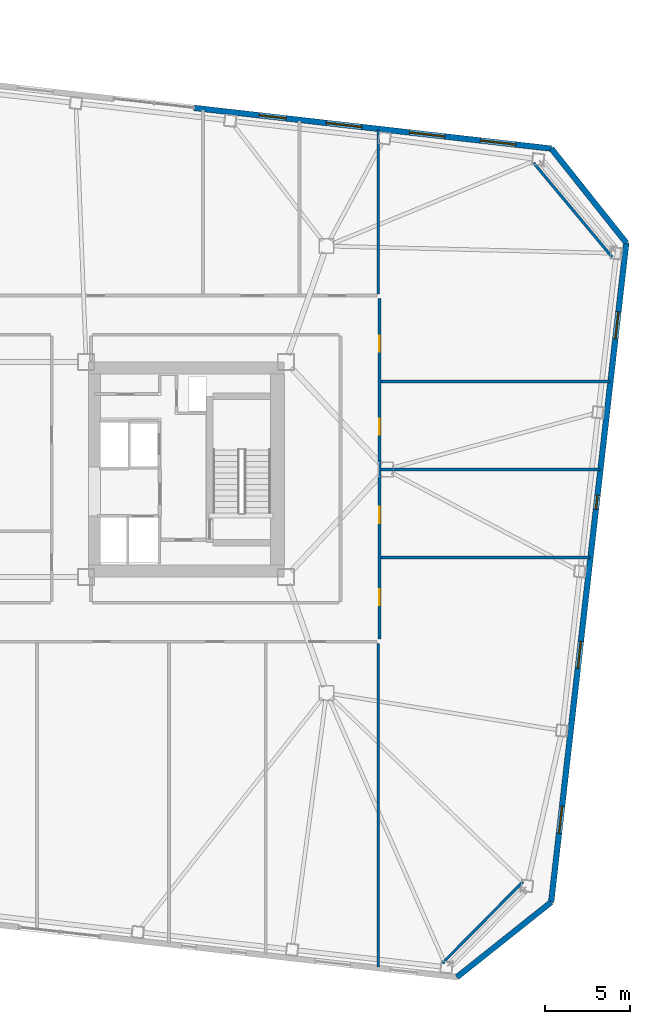
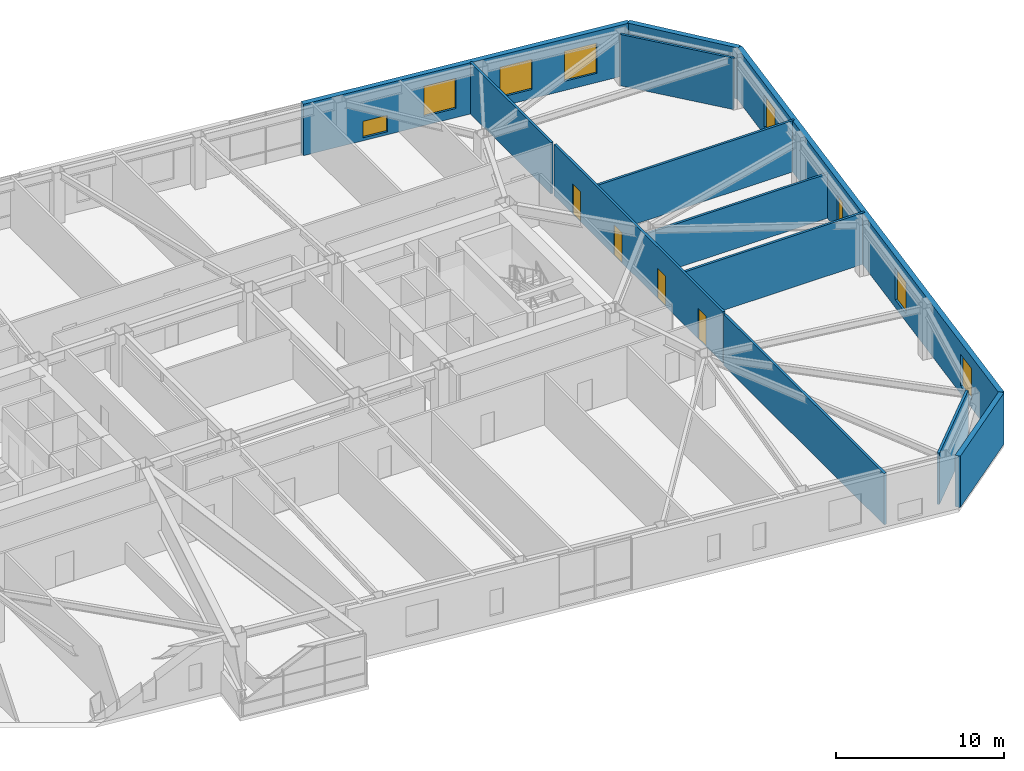
# One storey, part 16 of 22: 12 walls, 8 windows, 4 doors, 12 openings.
"""IFC4 building model written with IfcOpenShell, lengths in metres."""

import ifcopenshell
import ifcopenshell.guid

model = None  # the IFC model being written
_history = None  # IfcOwnerHistory: only IFC2X3 demands one
_inside = {}  # id of a spatial element -> (the spatial element, [elements in it])
_under = {}  # id of a project, library or spatial element -> (it, [spatial elements below it])
_declared = {}  # id of a project -> (the project, [libraries it declares])
_typed = {}  # id of a type object -> (the type object, [elements of that type])
_made_of = {}  # id of a material, layer set ... -> (it, [elements and type objects made of it])


def new_model(schema):
    """Start an empty IFC model of exactly this schema.

    Asked for "IFC4X3", IfcOpenShell would pick the latest addendum, in which some entities
    have other attributes; the version numbers below select the first issue.
    IFC2X3 requires an IfcOwnerHistory on every rooted entity: one is made here for all.
    """
    global model, _history
    if schema == "IFC4X3":
        model = ifcopenshell.file(schema_version=(4, 3, 0, 0))
    else:
        model = ifcopenshell.file(schema=schema)
    _inside.clear()
    _under.clear()
    _declared.clear()
    _typed.clear()
    _made_of.clear()
    _history = None
    if model.schema == "IFC2X3":
        org = make("IfcOrganization", Name="unknown")
        user = make(
            "IfcPersonAndOrganization",
            ThePerson=make("IfcPerson", FamilyName="unknown"),
            TheOrganization=org,
        )
        app = make(
            "IfcApplication",
            ApplicationDeveloper=org,
            Version="unknown",
            ApplicationFullName="unknown",
            ApplicationIdentifier="unknown",
        )
        _history = make(
            "IfcOwnerHistory",
            OwningUser=user,
            OwningApplication=app,
            ChangeAction="ADDED",
            CreationDate=0,
        )
    return model


def make(cls, **values):
    """One entity of the class cls with the attributes given. An attribute that is None is left unset."""
    return model.create_entity(
        cls, **{name: value for name, value in values.items() if value is not None}
    )


def rooted(cls, **values):
    """An entity with a GlobalId (a new one), such as an element, a storey or a relation."""
    return make(cls, GlobalId=ifcopenshell.guid.new(), OwnerHistory=_history, **values)


def si_unit(unit_type, name, prefix=None):
    """IfcSIUnit, for example si_unit("LENGTHUNIT", "METRE", prefix="MILLI")."""
    return make("IfcSIUnit", UnitType=unit_type, Prefix=prefix, Name=name)


def assignment(units):
    """IfcUnitAssignment: the units of a project."""
    return None if units is None else make("IfcUnitAssignment", Units=units)


def point(xyz):
    """IfcCartesianPoint."""
    return None if xyz is None else make("IfcCartesianPoint", Coordinates=xyz)


def direction(xyz):
    """IfcDirection."""
    return None if xyz is None else make("IfcDirection", DirectionRatios=xyz)


def frame(location, z_axis=None, x_axis=None):
    """IfcAxis2Placement3D, a coordinate frame: its origin and axes. An axis left out is left unset."""
    return make(
        "IfcAxis2Placement3D",
        Location=point(location),
        Axis=direction(z_axis),
        RefDirection=direction(x_axis),
    )


def frame_2d(location, x_axis=None):
    """IfcAxis2Placement2D, a coordinate frame in the plane: its origin and x axis."""
    return make(
        "IfcAxis2Placement2D", Location=point(location), RefDirection=direction(x_axis)
    )


def origin():
    """The frame at (0, 0, 0) with its axes left unset."""
    return frame((0.0, 0.0, 0.0))


def place(relative_to, where):
    """IfcLocalPlacement: puts the frame where relative to a parent placement (None: the world)."""
    return make(
        "IfcLocalPlacement", PlacementRelTo=relative_to, RelativePlacement=where
    )


def context(
    kind, dimensions, precision=None, world=None, true_north=None, identifier=None
):
    """IfcGeometricRepresentationContext, for example the 3D "Model" context."""
    return make(
        "IfcGeometricRepresentationContext",
        ContextIdentifier=identifier,
        ContextType=kind,
        CoordinateSpaceDimension=dimensions,
        Precision=precision,
        WorldCoordinateSystem=world,
        TrueNorth=true_north,
    )


def subcontext(parent, identifier, kind, view, scale=None):
    """IfcGeometricRepresentationSubContext, for example "Body" below "Model"."""
    return make(
        "IfcGeometricRepresentationSubContext",
        ContextIdentifier=identifier,
        ContextType=kind,
        ParentContext=parent,
        TargetScale=scale,
        TargetView=view,
    )


def project(units=None, contexts=None):
    """IfcProject with its units and contexts."""
    return rooted(
        "IfcProject",
        Name="project",
        RepresentationContexts=contexts,
        UnitsInContext=assignment(units),
    )


def spatial(cls, under=None, at=None, **own):
    """A site, building, storey or space (cls), placed at a placement, below another one or the project."""
    s = rooted(cls, ObjectPlacement=at, **own)
    if under is not None:
        _under.setdefault(under.id(), (under, []))[1].append(s)
    return s


def profile(cls, at=None, kind="AREA", **sizes):
    """A parametric profile (cls). Its sizes go by their IFC names, for example OverallWidth=200.0."""
    return make(cls, ProfileType=kind, Position=at, **sizes)


def rectangle(**sizes):
    """IfcRectangleProfileDef."""
    return profile("IfcRectangleProfileDef", **sizes)


def extrude(swept, where, along, depth):
    """IfcExtrudedAreaSolid: the profile swept, set in the frame where, extruded along a direction by depth."""
    return make(
        "IfcExtrudedAreaSolid",
        SweptArea=swept,
        Position=where,
        ExtrudedDirection=direction(along),
        Depth=depth,
    )


def shape(context_of_items, identifier, shape_type, items):
    """IfcShapeRepresentation: the items that make up one representation, for example the "Body"."""
    return make(
        "IfcShapeRepresentation",
        ContextOfItems=context_of_items,
        RepresentationIdentifier=identifier,
        RepresentationType=shape_type,
        Items=items,
    )


def material(Name=None, Category=None):
    """IfcMaterial."""
    return make("IfcMaterial", Name=Name, Category=Category)


def layer(
    of_material, thickness, ventilated=None, Name=None, Category=None, Priority=None
):
    """IfcMaterialLayer: one layer of a wall or slab, of a material (None: an air gap)."""
    return make(
        "IfcMaterialLayer",
        Material=of_material,
        LayerThickness=thickness,
        IsVentilated=ventilated,
        Name=Name,
        Category=Category,
        Priority=Priority,
    )


def layer_set(layers, Name=None):
    """IfcMaterialLayerSet."""
    return make("IfcMaterialLayerSet", MaterialLayers=layers, LayerSetName=Name)


def made_of(thing, what):
    """Note that an element or type object is made of a material, layer set ...; save() writes the relation."""
    if what is not None:
        _made_of.setdefault(what.id(), (what, []))[1].append(thing)
    return thing


def type_object(cls, material=None, **own):
    """A type object (cls), such as IfcWallType, which elements share."""
    return made_of(rooted(cls, **own), material)


def element(
    cls,
    number,
    at=None,
    inside=None,
    cuts=None,
    type_object=None,
    material=None,
    context=None,
    identifier="Body",
    shape_type=None,
    held_by="IfcProductDefinitionShape",
    body=None,
    shapes=None,
    **own,
):
    """One element of the class cls, such as IfcWall. Its Tag is "e" and its number.

    at: its placement. inside: the storey or other place that contains it. cuts: it is an
    opening in that element (IfcRelVoidsElement). A single representation is given by context,
    identifier, shape_type and body (its items); several are given by shapes. held_by: the class
    of the entity that holds the representations. save() writes the other relations.
    """
    e = rooted(cls, Tag="e%d" % number, ObjectPlacement=at, **own)
    if body is not None:
        shapes = [shape(context, identifier, shape_type, body)]
    if shapes is not None:
        e.Representation = make(held_by, Representations=shapes)
    if inside is not None:
        _inside.setdefault(inside.id(), (inside, []))[1].append(e)
    if cuts is not None:
        rooted(
            "IfcRelVoidsElement", RelatingBuildingElement=cuts, RelatedOpeningElement=e
        )
    if type_object is not None:
        _typed.setdefault(type_object.id(), (type_object, []))[1].append(e)
    return made_of(e, material)


def fill(opening, filler):
    """IfcRelFillsElement: the door or window that sits in an opening."""
    return rooted(
        "IfcRelFillsElement",
        RelatingOpeningElement=opening,
        RelatedBuildingElement=filler,
    )


def aggregate(whole, parts):
    """IfcRelAggregates: a whole, such as a stair, and the parts it consists of."""
    return rooted("IfcRelAggregates", RelatingObject=whole, RelatedObjects=parts)


def save(model, path):
    """Write the relations noted so far, then the file.

    IfcRelAggregates (storeys below a building ...), IfcRelContainedInSpatialStructure (elements
    in a storey), IfcRelDefinesByType, IfcRelAssociatesMaterial and IfcRelDeclares: one each for
    every whole, place, type object, material and project.
    """
    for whole, parts in _under.values():
        aggregate(whole, parts)
    for where, things in _inside.values():
        rooted(
            "IfcRelContainedInSpatialStructure",
            RelatedElements=things,
            RelatingStructure=where,
        )
    for kind, things in _typed.values():
        rooted("IfcRelDefinesByType", RelatedObjects=things, RelatingType=kind)
    for what, things in _made_of.values():
        rooted("IfcRelAssociatesMaterial", RelatedObjects=things, RelatingMaterial=what)
    for by, libraries in _declared.values():
        rooted("IfcRelDeclares", RelatingContext=by, RelatedDefinitions=libraries)
    model.write(path)


model = new_model("IFC4")

# Units and contexts
model_context = context("Model", 3, precision=1e-05, world=origin(), true_north=direction((0.0, 1.0)))
body_context = subcontext(model_context, "Body", "Model", "MODEL_VIEW")
ifc_project = project(units=[si_unit("LENGTHUNIT", "METRE"), si_unit("AREAUNIT", "SQUARE_METRE"), si_unit("VOLUMEUNIT", "CUBIC_METRE"), si_unit("PLANEANGLEUNIT", "RADIAN"), si_unit("MASSUNIT", "GRAM", prefix="KILO")], contexts=[model_context])

# Site, building, storey
site_placement = place(None, origin())
site = spatial("IfcSite", under=ifc_project, at=site_placement, CompositionType="ELEMENT")
building_placement = place(site_placement, origin())
building = spatial("IfcBuilding", under=site, at=building_placement, Name="Tavrogorsk Clinical Tower", CompositionType="ELEMENT")
storey_placement = place(building_placement, frame((0.0, 0.0, 93.39990234375)))
storey = spatial("IfcBuildingStorey", under=building, at=storey_placement, Name="L20", CompositionType="ELEMENT", Elevation=93.39990234375)

# Walls
ifc_material_1 = material(Name="Lightweight concrete blockwork B15", Category="masonry")
ifc_layer_1 = layer(ifc_material_1, 0.159912109375)
ifc_layer_set_1 = layer_set([ifc_layer_1], Name="Lightweight concrete blockwork B15")
wall_type_1 = type_object("IfcWallType", Name="PartitionWall_160", PredefinedType="PARTITIONING", material=ifc_layer_set_1)
wall_1_placement = place(storey_placement, frame((31.34130859375, -29.162109375, 0.0), z_axis=(0.0, 0.0, 1.0), x_axis=(0.702905898933, 0.711282853192, 0.0)))
element("IfcWall", 1, at=wall_1_placement, inside=storey, type_object=wall_type_1, Name="L20 Corner Exoskeleton Brace Furring Wall 1", PredefinedType="PARTITIONING", context=body_context, shape_type="SweptSolid", body=[
    extrude(rectangle(XDim=6.761474609375, YDim=0.159912109375, at=frame_2d((3.380859375, 0.0))), origin(), (0.0, 0.0, 1.0), 3.739990234375),
])
wall_2_placement = place(storey_placement, frame((41.36083984375, 12.555908203125, 0.0), z_axis=(0.0, 0.0, 1.0), x_axis=(-0.640217638562, 0.768193579298, 0.0)))
element("IfcWall", 2, at=wall_2_placement, inside=storey, type_object=wall_type_1, Name="L20 Corner Exoskeleton Brace Furring Wall 2", PredefinedType="PARTITIONING", context=body_context, shape_type="SweptSolid", body=[
    extrude(rectangle(XDim=7.224365234375, YDim=0.159912109375, at=frame_2d((3.6123046875, 0.0))), origin(), (0.0, 0.0, 1.0), 3.739990234375),
])

# Wall, openings, doors
wall_3_placement = place(storey_placement, frame((27.6298828125, 10.114990234375, 0.0), z_axis=(0.0, 0.0, 1.0), x_axis=(0.0, -1.0, 0.0)))
wall_3 = element("IfcWall", 3, at=wall_3_placement, inside=storey, type_object=wall_type_1, Name="L20 Corridor Partition 03", PredefinedType="PARTITIONING", context=body_context, shape_type="SweptSolid", body=[
    extrude(rectangle(XDim=20.1298828125, YDim=0.159912109375, at=frame_2d((10.06494140625, 0.0))), origin(), (0.0, 0.0, 1.0), 3.739990234375),
])
opening_1_placement = place(wall_3_placement, frame((17.180908203125, 0.0, 0.0)))
opening_1 = element("IfcOpeningElement", 4, at=opening_1_placement, cuts=wall_3, Name="Opening ID-02", PredefinedType="OPENING", context=body_context, shape_type="SweptSolid", body=[
    extrude(rectangle(XDim=0.949951171875, YDim=2.199951171875, at=frame_2d((0.47509765625, 1.10009765625))), frame((0.0, 0.08984375, 0.0), z_axis=(0.0, -1.0, 0.0), x_axis=(1.0, 0.0, 0.0)), (0.0, 0.0, 1.0), 0.179931640625),
])
opening_2_placement = place(wall_3_placement, frame((12.324951171875, 0.0, 0.0)))
opening_2 = element("IfcOpeningElement", 5, at=opening_2_placement, cuts=wall_3, Name="Opening ID-02", PredefinedType="OPENING", context=body_context, shape_type="SweptSolid", body=[
    extrude(rectangle(XDim=0.949951171875, YDim=2.199951171875, at=frame_2d((0.47509765625, 1.10009765625))), frame((0.0, 0.08984375, 0.0), z_axis=(0.0, -1.0, 0.0), x_axis=(1.0, 0.0, 0.0)), (0.0, 0.0, 1.0), 0.179931640625),
])
opening_3_placement = place(wall_3_placement, frame((7.125, 0.0, 0.0)))
opening_3 = element("IfcOpeningElement", 6, at=opening_3_placement, cuts=wall_3, Name="Opening ID-02", PredefinedType="OPENING", context=body_context, shape_type="SweptSolid", body=[
    extrude(rectangle(XDim=0.949951171875, YDim=2.199951171875, at=frame_2d((0.47509765625, 1.10009765625))), frame((0.0, 0.08984375, 0.0), z_axis=(0.0, -1.0, 0.0), x_axis=(1.0, 0.0, 0.0)), (0.0, 0.0, 1.0), 0.179931640625),
])
opening_4_placement = place(wall_3_placement, frame((2.218994140625, 0.0, 0.0)))
opening_4 = element("IfcOpeningElement", 7, at=opening_4_placement, cuts=wall_3, Name="Opening ID-02", PredefinedType="OPENING", context=body_context, shape_type="SweptSolid", body=[
    extrude(rectangle(XDim=0.949951171875, YDim=2.199951171875, at=frame_2d((0.47509765625, 1.10009765625))), frame((0.0, 0.08984375, 0.0), z_axis=(0.0, -1.0, 0.0), x_axis=(1.0, 0.0, 0.0)), (0.0, 0.0, 1.0), 0.179931640625),
])
ifc_material_2 = material(Name="Laminated timber leaf on aluminium frame", Category="wood")
door_type = type_object("IfcDoorType", Name="InteriorDoor_ID02_950", OperationType="NOTDEFINED", PredefinedType="DOOR", material=ifc_material_2)
door_1_placement = place(opening_1_placement, origin())
door_1 = element("IfcDoor", 8, at=door_1_placement, inside=storey, type_object=door_type, Name="L20 E Senior Clinician Suite 1 Door", OperationType="SINGLE_SWING_LEFT", OverallHeight=2.199951171875, OverallWidth=0.949951171875, PredefinedType="DOOR", context=body_context, shape_type="SweptSolid", body=[
    extrude(rectangle(XDim=0.949951171875, YDim=2.199951171875, at=frame_2d((0.47509765625, 1.10009765625))), frame((0.0, 0.02490234375, 0.0), z_axis=(0.0, -1.0, 0.0), x_axis=(1.0, 0.0, 0.0)), (0.0, 0.0, 1.0), 0.050048828125),
])
fill(opening_1, door_1)
door_2_placement = place(opening_2_placement, origin())
door_2 = element("IfcDoor", 9, at=door_2_placement, inside=storey, type_object=door_type, Name="L20 E Multidisciplinary Seminar Suite 2 Door", OperationType="SINGLE_SWING_RIGHT", OverallHeight=2.199951171875, OverallWidth=0.949951171875, PredefinedType="DOOR", context=body_context, shape_type="SweptSolid", body=[
    extrude(rectangle(XDim=0.949951171875, YDim=2.199951171875, at=frame_2d((0.47509765625, 1.10009765625))), frame((0.0, 0.02490234375, 0.0), z_axis=(0.0, -1.0, 0.0), x_axis=(1.0, 0.0, 0.0)), (0.0, 0.0, 1.0), 0.050048828125),
])
fill(opening_2, door_2)
door_3_placement = place(opening_3_placement, origin())
door_3 = element("IfcDoor", 10, at=door_3_placement, inside=storey, type_object=door_type, Name="L20 E Specialist Consultation Room 3 Door", OperationType="SINGLE_SWING_LEFT", OverallHeight=2.199951171875, OverallWidth=0.949951171875, PredefinedType="DOOR", context=body_context, shape_type="SweptSolid", body=[
    extrude(rectangle(XDim=0.949951171875, YDim=2.199951171875, at=frame_2d((0.47509765625, 1.10009765625))), frame((0.0, 0.02490234375, 0.0), z_axis=(0.0, -1.0, 0.0), x_axis=(1.0, 0.0, 0.0)), (0.0, 0.0, 1.0), 0.050048828125),
])
fill(opening_3, door_3)
door_4_placement = place(opening_4_placement, origin())
door_4 = element("IfcDoor", 11, at=door_4_placement, inside=storey, type_object=door_type, Name="L20 E Clinical Fellows' Study 4 Door", OperationType="SINGLE_SWING_RIGHT", OverallHeight=2.199951171875, OverallWidth=0.949951171875, PredefinedType="DOOR", context=body_context, shape_type="SweptSolid", body=[
    extrude(rectangle(XDim=0.949951171875, YDim=2.199951171875, at=frame_2d((0.47509765625, 1.10009765625))), frame((0.0, 0.02490234375, 0.0), z_axis=(0.0, -1.0, 0.0), x_axis=(1.0, 0.0, 0.0)), (0.0, 0.0, 1.0), 0.050048828125),
])
fill(opening_4, door_4)

# Walls
wall_4_placement = place(storey_placement, frame((27.550048828125, 10.364990234375, 0.0), z_axis=(0.0, 0.0, 1.0), x_axis=(0.0, 1.0, 0.0)))
element("IfcWall", 12, at=wall_4_placement, inside=storey, type_object=wall_type_1, Name="L20 NE Wing Closure Partition", PredefinedType="PARTITIONING", context=body_context, shape_type="SweptSolid", body=[
    extrude(rectangle(XDim=9.6884765625, YDim=0.159912109375, at=frame_2d((4.84423828125, 0.0))), origin(), (0.0, 0.0, 1.0), 3.739990234375),
])
wall_5_placement = place(storey_placement, frame((27.550048828125, -29.384521484375, 0.0), z_axis=(0.0, 0.0, 1.0), x_axis=(0.0, 1.0, 0.0)))
element("IfcWall", 13, at=wall_5_placement, inside=storey, type_object=wall_type_1, Name="L20 SE Wing Closure Partition", PredefinedType="PARTITIONING", context=body_context, shape_type="SweptSolid", body=[
    extrude(rectangle(XDim=19.11962890625, YDim=0.159912109375, at=frame_2d((9.559814453125, 0.0))), origin(), (0.0, 0.0, 1.0), 3.739990234375),
])
wall_6_placement = place(storey_placement, frame((27.715087890625, -5.199951171875, 0.0), z_axis=(0.0, 0.0, 1.0), x_axis=(1.0, 0.0, 0.0)))
element("IfcWall", 14, at=wall_6_placement, inside=storey, type_object=wall_type_1, Name="L20 E Wing Divider 1", PredefinedType="PARTITIONING", context=body_context, shape_type="SweptSolid", body=[
    extrude(rectangle(XDim=12.35205078125, YDim=0.159912109375, at=frame_2d((6.176025390625, 0.0))), origin(), (0.0, 0.0, 1.0), 3.739990234375),
])
wall_7_placement = place(storey_placement, frame((27.715087890625, 0.0, 0.0), z_axis=(0.0, 0.0, 1.0), x_axis=(1.0, 0.0, 0.0)))
element("IfcWall", 15, at=wall_7_placement, inside=storey, type_object=wall_type_1, Name="L20 E Wing Divider 2", PredefinedType="PARTITIONING", context=body_context, shape_type="SweptSolid", body=[
    extrude(rectangle(XDim=12.944580078125, YDim=0.159912109375, at=frame_2d((6.47216796875, 0.0))), origin(), (0.0, 0.0, 1.0), 3.235107421875),
])
wall_8_placement = place(storey_placement, frame((27.715087890625, 5.199951171875, 0.0), z_axis=(0.0, 0.0, 1.0), x_axis=(1.0, 0.0, 0.0)))
element("IfcWall", 16, at=wall_8_placement, inside=storey, type_object=wall_type_1, Name="L20 E Wing Divider 3", PredefinedType="PARTITIONING", context=body_context, shape_type="SweptSolid", body=[
    extrude(rectangle(XDim=13.537109375, YDim=0.159912109375, at=frame_2d((6.7685546875, 0.0))), origin(), (0.0, 0.0, 1.0), 3.739990234375),
])

# Wall, openings, windows
ifc_material_3 = material(Name="Precast concrete B45 with limestone cladding", Category="masonry")
ifc_layer_2 = layer(ifc_material_3, 0.340087890625)
ifc_layer_set_2 = layer_set([ifc_layer_2], Name="Precast concrete B45 with limestone cladding")
wall_type_2 = type_object("IfcWallType", Name="PrecastLimestoneWall_340", PredefinedType="STANDARD", material=ifc_layer_set_2)
wall_9_placement = place(storey_placement, frame((37.77734375, 18.95849609375, 0.0), z_axis=(0.0, 0.0, 1.0), x_axis=(-0.993571362037, 0.113207546299, 0.0)))
wall_9 = element("IfcWall", 17, at=wall_9_placement, inside=storey, type_object=wall_type_2, Name="L20 N Limestone Facade Wall 1", PredefinedType="STANDARD", context=body_context, shape_type="SweptSolid", body=[
    extrude(rectangle(XDim=21.222900390625, YDim=0.340087890625, at=frame_2d((10.611328125, 0.0))), origin(), (0.0, 0.0, 1.0), 3.739990234375),
])
opening_5_placement = place(wall_9_placement, frame((15.75634765625, 0.0, 0.219970703125)))
opening_5 = element("IfcOpeningElement", 18, at=opening_5_placement, cuts=wall_9, Name="Opening WN-09", PredefinedType="OPENING", context=body_context, shape_type="SweptSolid", body=[
    extrude(rectangle(XDim=1.60009765625, YDim=1.199951171875, at=frame_2d((0.800048828125, 0.60009765625))), frame((0.0, 0.179931640625, 0.0), z_axis=(0.0, -1.0, 0.0), x_axis=(1.0, 0.0, 0.0)), (0.0, 0.0, 1.0), 0.360107421875),
])
opening_6_placement = place(wall_9_placement, frame((11.284912109375, 0.0, 0.669921875)))
opening_6 = element("IfcOpeningElement", 19, at=opening_6_placement, cuts=wall_9, Name="Opening WN-03", PredefinedType="OPENING", context=body_context, shape_type="SweptSolid", body=[
    extrude(rectangle(XDim=2.10009765625, YDim=2.199951171875, at=frame_2d((1.050048828125, 1.10009765625))), frame((0.0, 0.179931640625, 0.0), z_axis=(0.0, -1.0, 0.0), x_axis=(1.0, 0.0, 0.0)), (0.0, 0.0, 1.0), 0.360107421875),
])
opening_7_placement = place(wall_9_placement, frame((6.335693359375, 0.0, 0.669921875)))
opening_7 = element("IfcOpeningElement", 20, at=opening_7_placement, cuts=wall_9, Name="Opening WN-03", PredefinedType="OPENING", context=body_context, shape_type="SweptSolid", body=[
    extrude(rectangle(XDim=2.10009765625, YDim=2.199951171875, at=frame_2d((1.050048828125, 1.10009765625))), frame((0.0, 0.179931640625, 0.0), z_axis=(0.0, -1.0, 0.0), x_axis=(1.0, 0.0, 0.0)), (0.0, 0.0, 1.0), 0.360107421875),
])
opening_8_placement = place(wall_9_placement, frame((2.125244140625, 0.0, 0.669921875)))
opening_8 = element("IfcOpeningElement", 21, at=opening_8_placement, cuts=wall_9, Name="Opening WN-03", PredefinedType="OPENING", context=body_context, shape_type="SweptSolid", body=[
    extrude(rectangle(XDim=2.10009765625, YDim=2.199951171875, at=frame_2d((1.050048828125, 1.10009765625))), frame((0.0, 0.179931640625, 0.0), z_axis=(0.0, -1.0, 0.0), x_axis=(1.0, 0.0, 0.0)), (0.0, 0.0, 1.0), 0.360107421875),
])
ifc_material_4 = material(Name="Thermally broken aluminium frame and triple IGU", Category="aluminium")
window_type_1 = type_object("IfcWindowType", Name="LowHeadTransWin_1600x1200", PartitioningType="DOUBLE_PANEL_VERTICAL", PredefinedType="WINDOW", material=ifc_material_4)
window_1_placement = place(opening_5_placement, origin())
window_1 = element("IfcWindow", 22, at=window_1_placement, inside=storey, type_object=window_type_1, Name="L20 N Chicago Window 07", OverallHeight=1.199951171875, OverallWidth=1.60009765625, PartitioningType="SINGLE_PANEL", PredefinedType="WINDOW", context=body_context, shape_type="SweptSolid", body=[
    extrude(rectangle(XDim=1.60009765625, YDim=1.199951171875, at=frame_2d((0.800048828125, 0.60009765625))), frame((0.0, 0.030029296875, 0.0), z_axis=(0.0, -1.0, 0.0), x_axis=(1.0, 0.0, 0.0)), (0.0, 0.0, 1.0), 0.06005859375),
])
fill(opening_5, window_1)
ifc_material_5 = material(Name="Thermally broken aluminium frame and triple IGU", Category="aluminium")
window_type_2 = type_object("IfcWindowType", Name="PatientTwinWin_2100x2200", PartitioningType="DOUBLE_PANEL_VERTICAL", PredefinedType="WINDOW", material=ifc_material_5)
window_2_placement = place(opening_6_placement, origin())
window_2 = element("IfcWindow", 23, at=window_2_placement, inside=storey, type_object=window_type_2, Name="L20 N Chicago Window 08", OverallHeight=2.199951171875, OverallWidth=2.10009765625, PartitioningType="SINGLE_PANEL", PredefinedType="WINDOW", context=body_context, shape_type="SweptSolid", body=[
    extrude(rectangle(XDim=2.10009765625, YDim=2.199951171875, at=frame_2d((1.050048828125, 1.10009765625))), frame((0.0, 0.030029296875, 0.0), z_axis=(0.0, -1.0, 0.0), x_axis=(1.0, 0.0, 0.0)), (0.0, 0.0, 1.0), 0.06005859375),
])
fill(opening_6, window_2)
window_3_placement = place(opening_7_placement, origin())
window_3 = element("IfcWindow", 24, at=window_3_placement, inside=storey, type_object=window_type_2, Name="L20 N Chicago Window 09", OverallHeight=2.199951171875, OverallWidth=2.10009765625, PartitioningType="SINGLE_PANEL", PredefinedType="WINDOW", context=body_context, shape_type="SweptSolid", body=[
    extrude(rectangle(XDim=2.10009765625, YDim=2.199951171875, at=frame_2d((1.050048828125, 1.10009765625))), frame((0.0, 0.030029296875, 0.0), z_axis=(0.0, -1.0, 0.0), x_axis=(1.0, 0.0, 0.0)), (0.0, 0.0, 1.0), 0.06005859375),
])
fill(opening_7, window_3)
window_4_placement = place(opening_8_placement, origin())
window_4 = element("IfcWindow", 25, at=window_4_placement, inside=storey, type_object=window_type_2, Name="L20 N Chicago Window 10", OverallHeight=2.199951171875, OverallWidth=2.10009765625, PartitioningType="SINGLE_PANEL", PredefinedType="WINDOW", context=body_context, shape_type="SweptSolid", body=[
    extrude(rectangle(XDim=2.10009765625, YDim=2.199951171875, at=frame_2d((1.050048828125, 1.10009765625))), frame((0.0, 0.030029296875, 0.0), z_axis=(0.0, -1.0, 0.0), x_axis=(1.0, 0.0, 0.0)), (0.0, 0.0, 1.0), 0.06005859375),
])
fill(opening_8, window_4)

wall_10_placement = place(storey_placement, frame((37.76806640625, -25.556396484375, 0.0), z_axis=(0.0, 0.0, 1.0), x_axis=(0.113201605824, 0.993572038877, 0.0)))
wall_10 = element("IfcWall", 26, at=wall_10_placement, inside=storey, type_object=wall_type_2, Name="L20 E Pleated Limestone Wing Wall", PredefinedType="STANDARD", context=body_context, shape_type="SweptSolid", body=[
    extrude(rectangle(XDim=39.199951171875, YDim=0.340087890625, at=frame_2d((19.60009765625, 0.0))), origin(), (0.0, 0.0, 1.0), 3.739990234375),
])
opening_9_placement = place(wall_10_placement, frame((4.10009765625, 0.0, 0.580078125)))
opening_9 = element("IfcOpeningElement", 27, at=opening_9_placement, cuts=wall_10, Name="Opening WN-07", PredefinedType="OPENING", context=body_context, shape_type="SweptSolid", body=[
    extrude(rectangle(XDim=1.60009765625, YDim=2.300048828125, at=frame_2d((0.800048828125, 1.14990234375))), frame((0.0, 0.179931640625, 0.0), z_axis=(0.0, -1.0, 0.0), x_axis=(1.0, 0.0, 0.0)), (0.0, 0.0, 1.0), 0.360107421875),
])
opening_10_placement = place(wall_10_placement, frame((13.89990234375, 0.0, 0.580078125)))
opening_10 = element("IfcOpeningElement", 28, at=opening_10_placement, cuts=wall_10, Name="Opening WN-07", PredefinedType="OPENING", context=body_context, shape_type="SweptSolid", body=[
    extrude(rectangle(XDim=1.60009765625, YDim=2.300048828125, at=frame_2d((0.800048828125, 1.14990234375))), frame((0.0, 0.179931640625, 0.0), z_axis=(0.0, -1.0, 0.0), x_axis=(1.0, 0.0, 0.0)), (0.0, 0.0, 1.0), 0.360107421875),
])
opening_11_placement = place(wall_10_placement, frame((23.35009765625, 0.0, 0.75)))
opening_11 = element("IfcOpeningElement", 29, at=opening_11_placement, cuts=wall_10, Name="Opening WN-06", PredefinedType="OPENING", context=body_context, shape_type="SweptSolid", body=[
    extrude(rectangle(XDim=0.85009765625, YDim=1.85009765625, at=frame_2d((0.425048828125, 0.925048828125))), frame((0.0, 0.179931640625, 0.0), z_axis=(0.0, -1.0, 0.0), x_axis=(1.0, 0.0, 0.0)), (0.0, 0.0, 1.0), 0.360107421875),
])
opening_12_placement = place(wall_10_placement, frame((33.5, 0.0, 0.580078125)))
opening_12 = element("IfcOpeningElement", 30, at=opening_12_placement, cuts=wall_10, Name="Opening WN-07", PredefinedType="OPENING", context=body_context, shape_type="SweptSolid", body=[
    extrude(rectangle(XDim=1.60009765625, YDim=2.300048828125, at=frame_2d((0.800048828125, 1.14990234375))), frame((0.0, 0.179931640625, 0.0), z_axis=(0.0, -1.0, 0.0), x_axis=(1.0, 0.0, 0.0)), (0.0, 0.0, 1.0), 0.360107421875),
])
ifc_material_6 = material(Name="Thermally broken aluminium frame and triple IGU", Category="aluminium")
window_type_3 = type_object("IfcWindowType", Name="MullionSubWin_850x1850", PartitioningType="SINGLE_PANEL", PredefinedType="WINDOW", material=ifc_material_6)
window_5_placement = place(opening_11_placement, origin())
window_5 = element("IfcWindow", 31, at=window_5_placement, inside=storey, type_object=window_type_3, Name="L20 E Pleat Mullion Window 3A", OverallHeight=1.85009765625, OverallWidth=0.85009765625, PartitioningType="SINGLE_PANEL", PredefinedType="WINDOW", context=body_context, shape_type="SweptSolid", body=[
    extrude(rectangle(XDim=0.85009765625, YDim=1.85009765625, at=frame_2d((0.425048828125, 0.925048828125))), frame((0.0, 0.030029296875, 0.0), z_axis=(0.0, -1.0, 0.0), x_axis=(1.0, 0.0, 0.0)), (0.0, 0.0, 1.0), 0.06005859375),
])
fill(opening_11, window_5)
ifc_material_7 = material(Name="Thermally broken aluminium frame and triple IGU", Category="aluminium")
window_type_4 = type_object("IfcWindowType", Name="PleatSlotWin_1600x2300", PartitioningType="SINGLE_PANEL", PredefinedType="WINDOW", material=ifc_material_7)
window_6_placement = place(opening_9_placement, origin())
window_6 = element("IfcWindow", 32, at=window_6_placement, inside=storey, type_object=window_type_4, Name="L20 E Pleat Slot Window 1", OverallHeight=2.300048828125, OverallWidth=1.60009765625, PartitioningType="SINGLE_PANEL", PredefinedType="WINDOW", context=body_context, shape_type="SweptSolid", body=[
    extrude(rectangle(XDim=1.60009765625, YDim=2.300048828125, at=frame_2d((0.800048828125, 1.14990234375))), frame((0.0, 0.030029296875, 0.0), z_axis=(0.0, -1.0, 0.0), x_axis=(1.0, 0.0, 0.0)), (0.0, 0.0, 1.0), 0.06005859375),
])
fill(opening_9, window_6)
window_7_placement = place(opening_10_placement, origin())
window_7 = element("IfcWindow", 33, at=window_7_placement, inside=storey, type_object=window_type_4, Name="L20 E Pleat Slot Window 2", OverallHeight=2.300048828125, OverallWidth=1.60009765625, PartitioningType="SINGLE_PANEL", PredefinedType="WINDOW", context=body_context, shape_type="SweptSolid", body=[
    extrude(rectangle(XDim=1.60009765625, YDim=2.300048828125, at=frame_2d((0.800048828125, 1.14990234375))), frame((0.0, 0.030029296875, 0.0), z_axis=(0.0, -1.0, 0.0), x_axis=(1.0, 0.0, 0.0)), (0.0, 0.0, 1.0), 0.06005859375),
])
fill(opening_10, window_7)
window_8_placement = place(opening_12_placement, origin())
window_8 = element("IfcWindow", 34, at=window_8_placement, inside=storey, type_object=window_type_4, Name="L20 E Pleat Slot Window 4", OverallHeight=2.300048828125, OverallWidth=1.60009765625, PartitioningType="SINGLE_PANEL", PredefinedType="WINDOW", context=body_context, shape_type="SweptSolid", body=[
    extrude(rectangle(XDim=1.60009765625, YDim=2.300048828125, at=frame_2d((0.800048828125, 1.14990234375))), frame((0.0, 0.030029296875, 0.0), z_axis=(0.0, -1.0, 0.0), x_axis=(1.0, 0.0, 0.0)), (0.0, 0.0, 1.0), 0.06005859375),
])
fill(opening_12, window_8)

# Walls
wall_11_placement = place(storey_placement, frame((32.200927734375, -29.984619140625, 0.0), z_axis=(0.0, 0.0, 1.0), x_axis=(0.78261359446, 0.622507800567, 0.0)))
element("IfcWall", 35, at=wall_11_placement, inside=storey, type_object=wall_type_2, Name="L20 Chamfered Corner Wall 1", PredefinedType="STANDARD", context=body_context, shape_type="SweptSolid", body=[
    extrude(rectangle(XDim=7.113525390625, YDim=0.340087890625, at=frame_2d((3.556640625, 0.0))), origin(), (0.0, 0.0, 1.0), 3.739990234375),
])
wall_12_placement = place(storey_placement, frame((42.20556640625, 13.3916015625, 0.0), z_axis=(0.0, 0.0, 1.0), x_axis=(-0.622524521309, 0.782600294128, 0.0)))
element("IfcWall", 36, at=wall_12_placement, inside=storey, type_object=wall_type_2, Name="L20 Chamfered Corner Wall 2", PredefinedType="STANDARD", context=body_context, shape_type="SweptSolid", body=[
    extrude(rectangle(XDim=7.11328125, YDim=0.340087890625, at=frame_2d((3.556640625, 0.0))), origin(), (0.0, 0.0, 1.0), 3.739990234375),
])

save(model, "model.ifc")
